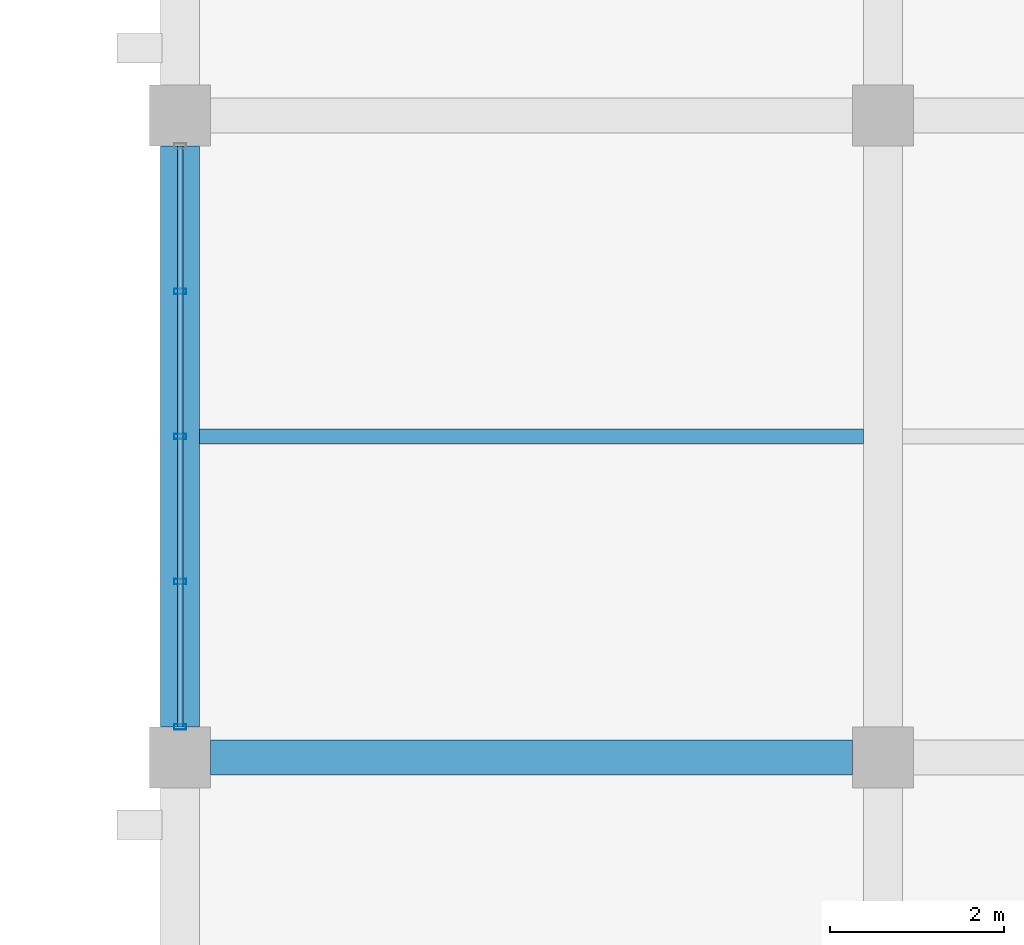
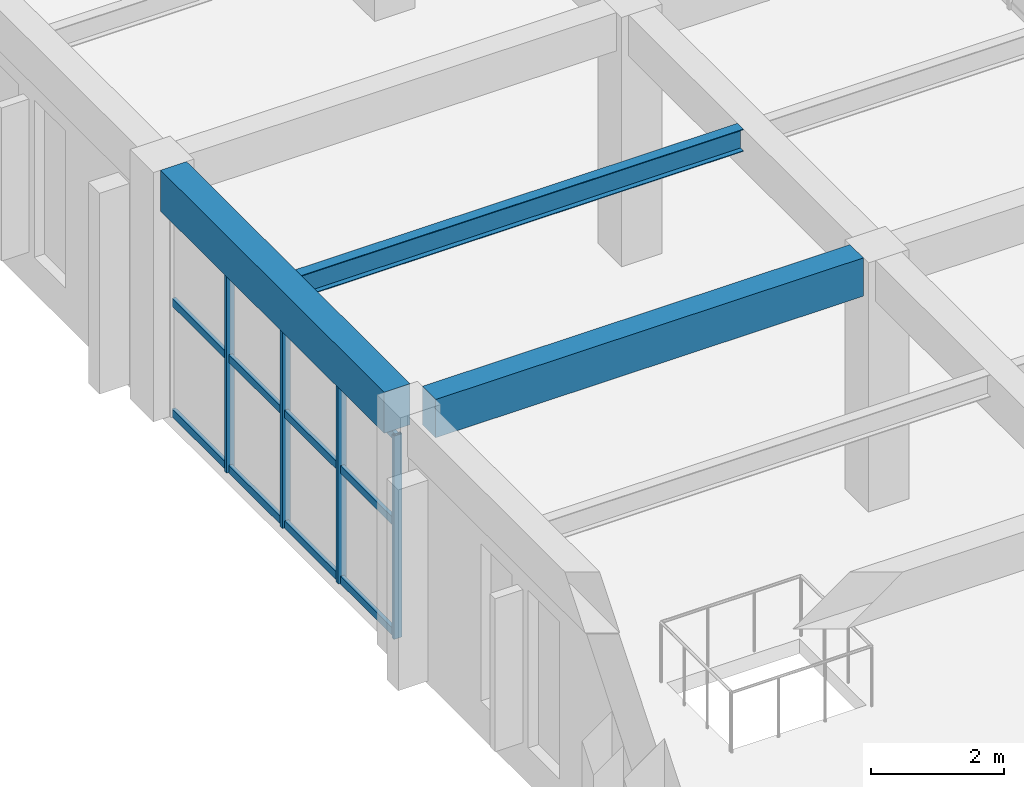
# One storey, part 76 of 161: 7 members, 3 beams, 1 element without a shape of its own.
"""IFC4 building model written with IfcOpenShell, lengths in metres."""

from ifc_helpers import new_model, si_unit, direction, frame, origin, origin_2d, place, context, subcontext, project, spatial, rectangle, hollow_rectangle, i_section, extrude, material, material_profile, profile_set, type_object, element, aggregate, save


model = new_model("IFC4")

# Units and contexts
model_context = context("Model", 3, precision=1e-05, world=origin(), true_north=direction((0.0, 1.0)))
body_context = subcontext(model_context, "Body", "Model", "MODEL_VIEW")
ifc_project = project(units=[si_unit("LENGTHUNIT", "METRE"), si_unit("AREAUNIT", "SQUARE_METRE"), si_unit("VOLUMEUNIT", "CUBIC_METRE"), si_unit("PLANEANGLEUNIT", "RADIAN"), si_unit("MASSUNIT", "GRAM", prefix="KILO")], contexts=[model_context])

# Site, building, storey
site_placement = place(None, origin())
site = spatial("IfcSite", under=ifc_project, at=site_placement, CompositionType="ELEMENT")
building_placement = place(site_placement, origin())
building = spatial("IfcBuilding", under=site, at=building_placement, Name="Cimatlan Art Gallery", CompositionType="ELEMENT")
storey_placement = place(building_placement, frame((0.0, 0.0, 5.39990234375)))
storey = spatial("IfcBuildingStorey", under=building, at=storey_placement, Name="L01", CompositionType="ELEMENT", Elevation=5.39990234375)

# Beams
ifc_material_1 = material(Name="Concrete C40/50", Category="concrete")
ifc_material_profile_1 = material_profile(ifc_material_1, rectangle(XDim=0.39990234375, YDim=0.699951171875, at=origin_2d()), Name="RC400X700")
ifc_profile_set_1 = profile_set([ifc_material_profile_1], Name="Concrete C40/50")
beam_type_1 = type_object("IfcBeamType", Name="BM-RC-400X700", PredefinedType="BEAM", material=ifc_profile_set_1)
beam_1_placement = place(storey_placement, frame((34.75, 83.10009765625, 4.210205078125), z_axis=(1.0, 0.0, 0.0), x_axis=(0.0, 1.0, 0.0)))
element("IfcBeam", 1, at=beam_1_placement, inside=storey, type_object=beam_type_1, Name="BM-X-L01-04-11", PredefinedType="BEAM", context=body_context, shape_type="SweptSolid", body=[
    extrude(rectangle(XDim=0.39990234375, YDim=0.699951171875, at=origin_2d()), origin(), (0.0, 0.0, 1.0), 7.39990234375),
])
ifc_material_profile_2 = material_profile(ifc_material_1, rectangle(XDim=0.449951171875, YDim=0.75, at=origin_2d()), Name="RC450X750")
ifc_profile_set_2 = profile_set([ifc_material_profile_2], Name="Concrete C40/50")
beam_type_2 = type_object("IfcBeamType", Name="BM-RC-450X750", PredefinedType="BEAM", material=ifc_profile_set_2)
beam_2_placement = place(storey_placement, frame((34.39990234375, 83.449951171875, 4.18505859375), z_axis=(0.0, 1.0, 0.0), x_axis=(-1.0, 0.0, 0.0)))
element("IfcBeam", 2, at=beam_2_placement, inside=storey, type_object=beam_type_2, Name="BM-Y-L01-04-11", PredefinedType="BEAM", context=body_context, shape_type="SweptSolid", body=[
    extrude(rectangle(XDim=0.449951171875, YDim=0.75, at=origin_2d()), origin(), (0.0, 0.0, 1.0), 6.699951171875),
])
ifc_material_2 = material(Name="Steel ASTM A992 Grade 50", Category="steel")
ifc_material_profile_3 = material_profile(ifc_material_2, i_section(OverallWidth=0.177978515625, OverallDepth=0.406982421875, WebThickness=0.0078125, FlangeThickness=0.0126953125, at=origin_2d()), Name="W16X40")
ifc_profile_set_3 = profile_set([ifc_material_profile_3], Name="Steel ASTM A992 Grade 50")
beam_type_3 = type_object("IfcBeamType", Name="BM-STL-W16X40", PredefinedType="JOIST", material=ifc_profile_set_3)
beam_3_placement = place(storey_placement, frame((34.625, 86.800048828125, 4.356689453125), z_axis=(1.0, 0.0, 0.0), x_axis=(0.0, 1.0, 0.0)))
element("IfcBeam", 3, at=beam_3_placement, inside=storey, type_object=beam_type_3, Name="JST-L01-04-11", PredefinedType="JOIST", context=body_context, shape_type="SweptSolid", body=[
    extrude(i_section(OverallWidth=0.177978515625, OverallDepth=0.406982421875, WebThickness=0.0078125, FlangeThickness=0.0126953125, at=origin_2d()), origin(), (0.0, 0.0, 1.0), 7.64990234375),
])

# Curtain wall, members
ifc_material_3 = material(Name="Anodised bronze unitised curtain wall")
curtain_wall_type = type_object("IfcCurtainWallType", Name="CW-V-06692X03720-B4", PredefinedType="NOTDEFINED", material=ifc_material_3)
curtain_wall_placement = place(storey_placement, origin())
curtain_wall = element("IfcCurtainWall", 4, at=curtain_wall_placement, inside=storey, type_object=curtain_wall_type, Name="CW-L01-04-11-W", PredefinedType="NOTDEFINED")
ifc_material_4 = material(Name="Anodised bronze aluminium 6063-T6", Category="aluminium")
ifc_material_profile_4 = material_profile(ifc_material_4, hollow_rectangle(XDim=0.06494140625, YDim=0.139892578125, WallThickness=0.00390625, at=origin_2d()), Name="ALU65X140X4")
ifc_profile_set_4 = profile_set([ifc_material_profile_4], Name="Anodised bronze aluminium 6063-T6")
member_type_1 = type_object("IfcMemberType", Name="CW-MUL-140", PredefinedType="MULLION", material=ifc_profile_set_4)
member_1_placement = place(storey_placement, frame((34.39990234375, 83.4541015625, 0.0), z_axis=(0.0, 0.0, 1.0), x_axis=(0.0, 1.0, 0.0)))
member_1 = element("IfcMember", 5, at=member_1_placement, type_object=member_type_1, Name="CW-L01-04-11-W-M1", PredefinedType="MULLION", context=body_context, shape_type="SweptSolid", body=[
    extrude(hollow_rectangle(XDim=0.06494140625, YDim=0.139892578125, WallThickness=0.00390625, at=origin_2d()), origin(), (0.0, 0.0, 1.0), 3.72021484375),
])
member_2_placement = place(storey_placement, frame((34.39990234375, 85.126953125, 0.0), z_axis=(0.0, 0.0, 1.0), x_axis=(0.0, 1.0, 0.0)))
member_2 = element("IfcMember", 6, at=member_2_placement, type_object=member_type_1, Name="CW-L01-04-11-W-M2", PredefinedType="MULLION", context=body_context, shape_type="SweptSolid", body=[
    extrude(hollow_rectangle(XDim=0.06494140625, YDim=0.139892578125, WallThickness=0.00390625, at=origin_2d()), origin(), (0.0, 0.0, 1.0), 3.72021484375),
])
member_3_placement = place(storey_placement, frame((34.39990234375, 86.800048828125, 0.0), z_axis=(0.0, 0.0, 1.0), x_axis=(0.0, 1.0, 0.0)))
member_3 = element("IfcMember", 7, at=member_3_placement, type_object=member_type_1, Name="CW-L01-04-11-W-M3", PredefinedType="MULLION", context=body_context, shape_type="SweptSolid", body=[
    extrude(hollow_rectangle(XDim=0.06494140625, YDim=0.139892578125, WallThickness=0.00390625, at=origin_2d()), origin(), (0.0, 0.0, 1.0), 3.72021484375),
])
member_4_placement = place(storey_placement, frame((34.39990234375, 88.472900390625, 0.0), z_axis=(0.0, 0.0, 1.0), x_axis=(0.0, 1.0, 0.0)))
member_4 = element("IfcMember", 8, at=member_4_placement, type_object=member_type_1, Name="CW-L01-04-11-W-M4", PredefinedType="MULLION", context=body_context, shape_type="SweptSolid", body=[
    extrude(hollow_rectangle(XDim=0.06494140625, YDim=0.139892578125, WallThickness=0.00390625, at=origin_2d()), origin(), (0.0, 0.0, 1.0), 3.72021484375),
])
ifc_material_profile_5 = material_profile(ifc_material_4, hollow_rectangle(XDim=0.06494140625, YDim=0.139892578125, WallThickness=0.00390625, at=origin_2d()), Name="ALU65X140X4")
ifc_profile_set_5 = profile_set([ifc_material_profile_5], Name="Anodised bronze aluminium 6063-T6")
member_type_2 = type_object("IfcMemberType", Name="CW-TRN-140", PredefinedType="USERDEFINED", material=ifc_profile_set_5)
member_5_placement = place(storey_placement, frame((34.39990234375, 83.4541015625, 0.06005859375), z_axis=(0.0, 1.0, 0.0), x_axis=(-1.0, 0.0, 0.0)))
member_5 = element("IfcMember", 9, at=member_5_placement, type_object=member_type_2, Name="CW-L01-04-11-W-T1", ObjectType="TRANSOM", PredefinedType="USERDEFINED", context=body_context, shape_type="SweptSolid", body=[
    extrude(hollow_rectangle(XDim=0.06494140625, YDim=0.139892578125, WallThickness=0.00390625, at=origin_2d()), origin(), (0.0, 0.0, 1.0), 6.69189453125),
])
member_6_placement = place(storey_placement, frame((34.39990234375, 83.4541015625, 2.083251953125), z_axis=(0.0, 1.0, 0.0), x_axis=(-1.0, 0.0, 0.0)))
member_6 = element("IfcMember", 10, at=member_6_placement, type_object=member_type_2, Name="CW-L01-04-11-W-T2", ObjectType="TRANSOM", PredefinedType="USERDEFINED", context=body_context, shape_type="SweptSolid", body=[
    extrude(hollow_rectangle(XDim=0.06494140625, YDim=0.139892578125, WallThickness=0.00390625, at=origin_2d()), origin(), (0.0, 0.0, 1.0), 6.69189453125),
])
member_7_placement = place(storey_placement, frame((34.39990234375, 83.4541015625, 3.66015625), z_axis=(0.0, 1.0, 0.0), x_axis=(-1.0, 0.0, 0.0)))
member_7 = element("IfcMember", 11, at=member_7_placement, type_object=member_type_2, Name="CW-L01-04-11-W-T3", ObjectType="TRANSOM", PredefinedType="USERDEFINED", context=body_context, shape_type="SweptSolid", body=[
    extrude(hollow_rectangle(XDim=0.06494140625, YDim=0.139892578125, WallThickness=0.00390625, at=origin_2d()), origin(), (0.0, 0.0, 1.0), 6.69189453125),
])
aggregate(curtain_wall, [member_1, member_2, member_3, member_4, member_5, member_6, member_7])

save(model, "model.ifc")
